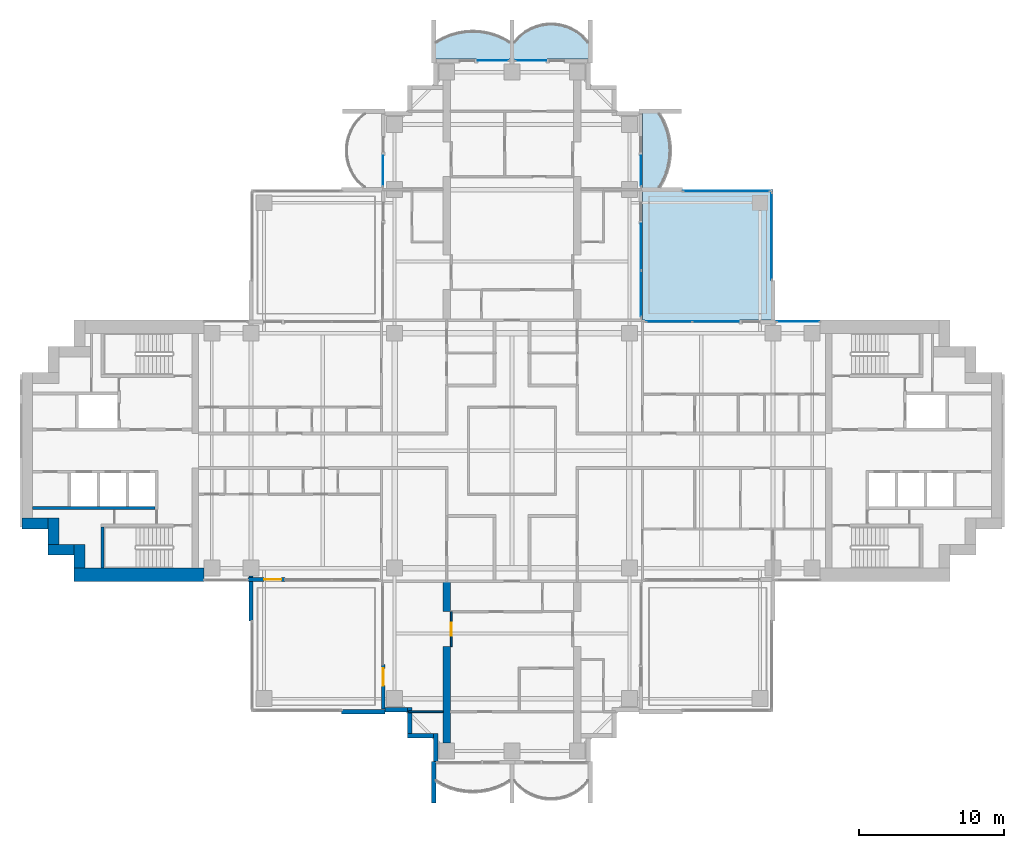
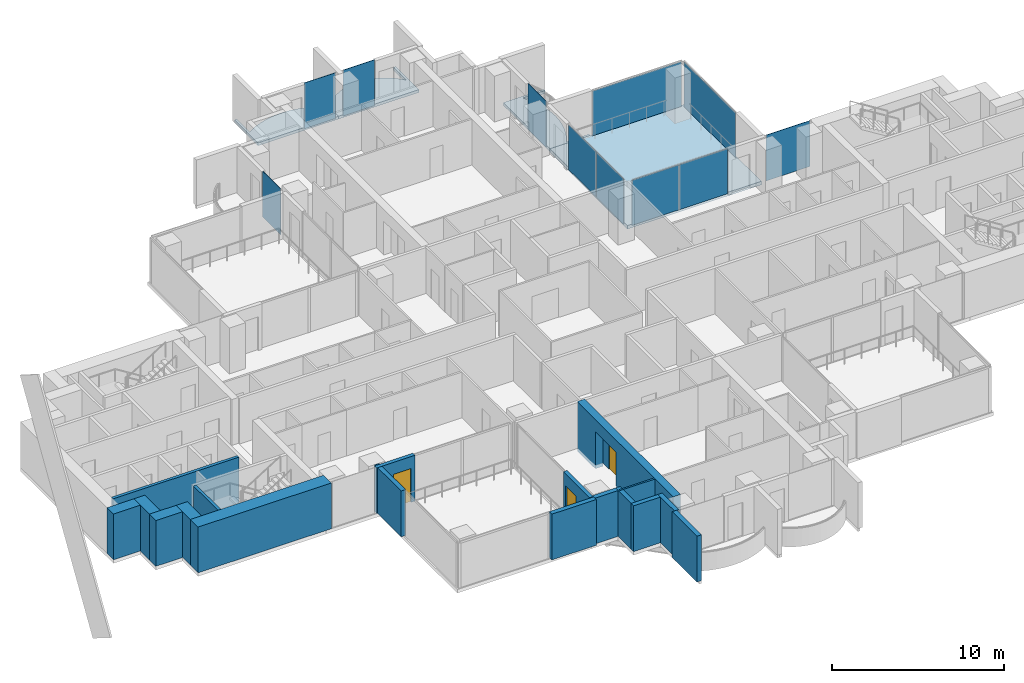
# One storey, part 8 of 19: 19 walls, 11 plates, 4 slabs, 3 doors, 3 openings, 9 elements without a shape of their own.
"""IFC4 building model written with IfcOpenShell, lengths in metres."""

import ifcopenshell
import ifcopenshell.guid

model = None  # the IFC model being written
_history = None  # IfcOwnerHistory: only IFC2X3 demands one
_inside = {}  # id of a spatial element -> (the spatial element, [elements in it])
_under = {}  # id of a project, library or spatial element -> (it, [spatial elements below it])
_declared = {}  # id of a project -> (the project, [libraries it declares])
_typed = {}  # id of a type object -> (the type object, [elements of that type])
_made_of = {}  # id of a material, layer set ... -> (it, [elements and type objects made of it])


def new_model(schema):
    """Start an empty IFC model of exactly this schema.

    Asked for "IFC4X3", IfcOpenShell would pick the latest addendum, in which some entities
    have other attributes; the version numbers below select the first issue.
    IFC2X3 requires an IfcOwnerHistory on every rooted entity: one is made here for all.
    """
    global model, _history
    if schema == "IFC4X3":
        model = ifcopenshell.file(schema_version=(4, 3, 0, 0))
    else:
        model = ifcopenshell.file(schema=schema)
    _inside.clear()
    _under.clear()
    _declared.clear()
    _typed.clear()
    _made_of.clear()
    _history = None
    if model.schema == "IFC2X3":
        org = make("IfcOrganization", Name="unknown")
        user = make(
            "IfcPersonAndOrganization",
            ThePerson=make("IfcPerson", FamilyName="unknown"),
            TheOrganization=org,
        )
        app = make(
            "IfcApplication",
            ApplicationDeveloper=org,
            Version="unknown",
            ApplicationFullName="unknown",
            ApplicationIdentifier="unknown",
        )
        _history = make(
            "IfcOwnerHistory",
            OwningUser=user,
            OwningApplication=app,
            ChangeAction="ADDED",
            CreationDate=0,
        )
    return model


def make(cls, **values):
    """One entity of the class cls with the attributes given. An attribute that is None is left unset."""
    return model.create_entity(
        cls, **{name: value for name, value in values.items() if value is not None}
    )


def rooted(cls, **values):
    """An entity with a GlobalId (a new one), such as an element, a storey or a relation."""
    return make(cls, GlobalId=ifcopenshell.guid.new(), OwnerHistory=_history, **values)


def si_unit(unit_type, name, prefix=None):
    """IfcSIUnit, for example si_unit("LENGTHUNIT", "METRE", prefix="MILLI")."""
    return make("IfcSIUnit", UnitType=unit_type, Prefix=prefix, Name=name)


def assignment(units):
    """IfcUnitAssignment: the units of a project."""
    return None if units is None else make("IfcUnitAssignment", Units=units)


def point(xyz):
    """IfcCartesianPoint."""
    return None if xyz is None else make("IfcCartesianPoint", Coordinates=xyz)


def direction(xyz):
    """IfcDirection."""
    return None if xyz is None else make("IfcDirection", DirectionRatios=xyz)


def frame(location, z_axis=None, x_axis=None):
    """IfcAxis2Placement3D, a coordinate frame: its origin and axes. An axis left out is left unset."""
    return make(
        "IfcAxis2Placement3D",
        Location=point(location),
        Axis=direction(z_axis),
        RefDirection=direction(x_axis),
    )


def frame_2d(location, x_axis=None):
    """IfcAxis2Placement2D, a coordinate frame in the plane: its origin and x axis."""
    return make(
        "IfcAxis2Placement2D", Location=point(location), RefDirection=direction(x_axis)
    )


def origin():
    """The frame at (0, 0, 0) with its axes left unset."""
    return frame((0.0, 0.0, 0.0))


def origin_2d():
    """The frame at (0, 0) in the plane with its x axis left unset."""
    return frame_2d((0.0, 0.0))


def place(relative_to, where):
    """IfcLocalPlacement: puts the frame where relative to a parent placement (None: the world)."""
    return make(
        "IfcLocalPlacement", PlacementRelTo=relative_to, RelativePlacement=where
    )


def context(
    kind, dimensions, precision=None, world=None, true_north=None, identifier=None
):
    """IfcGeometricRepresentationContext, for example the 3D "Model" context."""
    return make(
        "IfcGeometricRepresentationContext",
        ContextIdentifier=identifier,
        ContextType=kind,
        CoordinateSpaceDimension=dimensions,
        Precision=precision,
        WorldCoordinateSystem=world,
        TrueNorth=true_north,
    )


def subcontext(parent, identifier, kind, view, scale=None):
    """IfcGeometricRepresentationSubContext, for example "Body" below "Model"."""
    return make(
        "IfcGeometricRepresentationSubContext",
        ContextIdentifier=identifier,
        ContextType=kind,
        ParentContext=parent,
        TargetScale=scale,
        TargetView=view,
    )


def project(units=None, contexts=None):
    """IfcProject with its units and contexts."""
    return rooted(
        "IfcProject",
        Name="project",
        RepresentationContexts=contexts,
        UnitsInContext=assignment(units),
    )


def spatial(cls, under=None, at=None, **own):
    """A site, building, storey or space (cls), placed at a placement, below another one or the project."""
    s = rooted(cls, ObjectPlacement=at, **own)
    if under is not None:
        _under.setdefault(under.id(), (under, []))[1].append(s)
    return s


def polyline(points):
    """IfcPolyline through the points."""
    return make("IfcPolyline", Points=[point(p) for p in points])


def profile(cls, at=None, kind="AREA", **sizes):
    """A parametric profile (cls). Its sizes go by their IFC names, for example OverallWidth=200.0."""
    return make(cls, ProfileType=kind, Position=at, **sizes)


def rectangle(**sizes):
    """IfcRectangleProfileDef."""
    return profile("IfcRectangleProfileDef", **sizes)


def outline(outer, holes=None, kind="AREA"):
    """IfcArbitraryClosedProfileDef: a profile drawn as a closed curve; with holes, ...WithVoids."""
    if holes is None:
        return make("IfcArbitraryClosedProfileDef", ProfileType=kind, OuterCurve=outer)
    return make(
        "IfcArbitraryProfileDefWithVoids",
        ProfileType=kind,
        OuterCurve=outer,
        InnerCurves=holes,
    )


def extrude(swept, where, along, depth):
    """IfcExtrudedAreaSolid: the profile swept, set in the frame where, extruded along a direction by depth."""
    return make(
        "IfcExtrudedAreaSolid",
        SweptArea=swept,
        Position=where,
        ExtrudedDirection=direction(along),
        Depth=depth,
    )


def shape(context_of_items, identifier, shape_type, items):
    """IfcShapeRepresentation: the items that make up one representation, for example the "Body"."""
    return make(
        "IfcShapeRepresentation",
        ContextOfItems=context_of_items,
        RepresentationIdentifier=identifier,
        RepresentationType=shape_type,
        Items=items,
    )


def material(Name=None, Category=None):
    """IfcMaterial."""
    return make("IfcMaterial", Name=Name, Category=Category)


def layer(
    of_material, thickness, ventilated=None, Name=None, Category=None, Priority=None
):
    """IfcMaterialLayer: one layer of a wall or slab, of a material (None: an air gap)."""
    return make(
        "IfcMaterialLayer",
        Material=of_material,
        LayerThickness=thickness,
        IsVentilated=ventilated,
        Name=Name,
        Category=Category,
        Priority=Priority,
    )


def layer_set(layers, Name=None):
    """IfcMaterialLayerSet."""
    return make("IfcMaterialLayerSet", MaterialLayers=layers, LayerSetName=Name)


def material_profile(
    of_material, cross_section, Name=None, Category=None, Priority=None
):
    """IfcMaterialProfile: a cross section and its material."""
    return make(
        "IfcMaterialProfile",
        Name=Name,
        Material=of_material,
        Profile=cross_section,
        Priority=Priority,
        Category=Category,
    )


def profile_set(profiles, Name=None, composite=None):
    """IfcMaterialProfileSet."""
    return make(
        "IfcMaterialProfileSet",
        Name=Name,
        MaterialProfiles=profiles,
        CompositeProfile=composite,
    )


def made_of(thing, what):
    """Note that an element or type object is made of a material, layer set ...; save() writes the relation."""
    if what is not None:
        _made_of.setdefault(what.id(), (what, []))[1].append(thing)
    return thing


def type_object(cls, material=None, **own):
    """A type object (cls), such as IfcWallType, which elements share."""
    return made_of(rooted(cls, **own), material)


def element(
    cls,
    number,
    at=None,
    inside=None,
    cuts=None,
    type_object=None,
    material=None,
    context=None,
    identifier="Body",
    shape_type=None,
    held_by="IfcProductDefinitionShape",
    body=None,
    shapes=None,
    **own,
):
    """One element of the class cls, such as IfcWall. Its Tag is "e" and its number.

    at: its placement. inside: the storey or other place that contains it. cuts: it is an
    opening in that element (IfcRelVoidsElement). A single representation is given by context,
    identifier, shape_type and body (its items); several are given by shapes. held_by: the class
    of the entity that holds the representations. save() writes the other relations.
    """
    e = rooted(cls, Tag="e%d" % number, ObjectPlacement=at, **own)
    if body is not None:
        shapes = [shape(context, identifier, shape_type, body)]
    if shapes is not None:
        e.Representation = make(held_by, Representations=shapes)
    if inside is not None:
        _inside.setdefault(inside.id(), (inside, []))[1].append(e)
    if cuts is not None:
        rooted(
            "IfcRelVoidsElement", RelatingBuildingElement=cuts, RelatedOpeningElement=e
        )
    if type_object is not None:
        _typed.setdefault(type_object.id(), (type_object, []))[1].append(e)
    return made_of(e, material)


def fill(opening, filler):
    """IfcRelFillsElement: the door or window that sits in an opening."""
    return rooted(
        "IfcRelFillsElement",
        RelatingOpeningElement=opening,
        RelatedBuildingElement=filler,
    )


def aggregate(whole, parts):
    """IfcRelAggregates: a whole, such as a stair, and the parts it consists of."""
    return rooted("IfcRelAggregates", RelatingObject=whole, RelatedObjects=parts)


def save(model, path):
    """Write the relations noted so far, then the file.

    IfcRelAggregates (storeys below a building ...), IfcRelContainedInSpatialStructure (elements
    in a storey), IfcRelDefinesByType, IfcRelAssociatesMaterial and IfcRelDeclares: one each for
    every whole, place, type object, material and project.
    """
    for whole, parts in _under.values():
        aggregate(whole, parts)
    for where, things in _inside.values():
        rooted(
            "IfcRelContainedInSpatialStructure",
            RelatedElements=things,
            RelatingStructure=where,
        )
    for kind, things in _typed.values():
        rooted("IfcRelDefinesByType", RelatedObjects=things, RelatingType=kind)
    for what, things in _made_of.values():
        rooted("IfcRelAssociatesMaterial", RelatedObjects=things, RelatingMaterial=what)
    for by, libraries in _declared.values():
        rooted("IfcRelDeclares", RelatingContext=by, RelatedDefinitions=libraries)
    model.write(path)


model = new_model("IFC4")

# Units and contexts
model_context = context("Model", 3, precision=1e-05, world=origin(), true_north=direction((0.0, 1.0)))
body_context = subcontext(model_context, "Body", "Model", "MODEL_VIEW")
ifc_project = project(units=[si_unit("LENGTHUNIT", "METRE"), si_unit("AREAUNIT", "SQUARE_METRE"), si_unit("VOLUMEUNIT", "CUBIC_METRE"), si_unit("PLANEANGLEUNIT", "RADIAN"), si_unit("MASSUNIT", "GRAM", prefix="KILO")], contexts=[model_context])

# Site, building, storey
site_placement = place(None, origin())
site = spatial("IfcSite", under=ifc_project, at=site_placement, CompositionType="ELEMENT")
building_placement = place(site_placement, origin())
building = spatial("IfcBuilding", under=site, at=building_placement, Name="Perihelion Cross Residences", CompositionType="ELEMENT")
storey_placement = place(building_placement, frame((0.0, 0.0, 109.39990234375)))
storey = spatial("IfcBuildingStorey", under=building, at=storey_placement, Name="L25", CompositionType="ELEMENT", Elevation=109.39990234375)

# Slabs
ifc_material_1 = material(Name="Concrete C40/50", Category="concrete")
ifc_layer_1 = layer(ifc_material_1, 0.199951171875)
ifc_layer_set_1 = layer_set([ifc_layer_1], Name="Balcony slab 200")
slab_type_1 = type_object("IfcSlabType", Name="Balcony slab 200", PredefinedType="FLOOR", material=ifc_layer_set_1)
slab_1_placement = place(storey_placement, frame((0.0, 0.0, -0.199951171875)))
element("IfcSlab", 1, at=slab_1_placement, inside=storey, type_object=slab_type_1, Name="Slab BK1 L25 north side east bay 2 balcony", PredefinedType="FLOOR", context=body_context, shape_type="SweptSolid", body=[
    extrude(outline(polyline([(9.0, 18.0), (9.0, 23.39990234375), (11.699951171875, 23.39990234375), (11.699951171875, 23.25), (10.199951171875, 23.25), (10.4853515625, 22.739990234375), (10.694580078125, 22.22998046875), (10.838134765625, 21.719970703125), (10.92236328125, 21.2099609375), (10.949951171875, 20.699951171875), (10.92236328125, 20.18994140625), (10.838134765625, 19.679931640625), (10.694580078125, 19.169921875), (10.4853515625, 18.659912109375), (10.199951171875, 18.14990234375), (11.699951171875, 18.14990234375), (11.699951171875, 18.0), (9.0, 18.0)])), origin(), (0.0, 0.0, 1.0), 0.199951171875),
])
slab_2_placement = place(storey_placement, frame((0.0, 0.0, -0.199951171875)))
element("IfcSlab", 2, at=slab_2_placement, inside=storey, type_object=slab_type_1, Name="Slab BK1 L25 north tip north bay 1 balcony", PredefinedType="FLOOR", context=body_context, shape_type="SweptSolid", body=[
    extrude(outline(polyline([(5.39990234375, 27.0), (0.0, 27.0), (0.0, 29.699951171875), (0.14990234375, 29.699951171875), (0.14990234375, 28.199951171875), (0.542236328125, 28.622314453125), (0.9345703125, 28.924072265625), (1.326904296875, 29.143310546875), (1.71923828125, 29.29736328125), (2.111572265625, 29.39599609375), (2.50390625, 29.444091796875), (2.896240234375, 29.444091796875), (3.28857421875, 29.39599609375), (3.6806640625, 29.29736328125), (4.072998046875, 29.143310546875), (4.46533203125, 28.924072265625), (4.857666015625, 28.622314453125), (5.25, 28.199951171875), (5.25, 29.699951171875), (5.39990234375, 29.699951171875), (5.39990234375, 27.0)])), origin(), (0.0, 0.0, 1.0), 0.199951171875),
])
slab_3_placement = place(storey_placement, frame((0.0, 0.0, -0.199951171875)))
element("IfcSlab", 3, at=slab_3_placement, inside=storey, type_object=slab_type_1, Name="Slab BK1 L25 north tip north bay 2 balcony", PredefinedType="FLOOR", context=body_context, shape_type="SweptSolid", body=[
    extrude(outline(polyline([(0.0, 27.0), (-5.39990234375, 27.0), (-5.39990234375, 29.699951171875), (-5.25, 29.699951171875), (-5.25, 28.199951171875), (-4.739990234375, 28.4853515625), (-4.22998046875, 28.694580078125), (-3.719970703125, 28.838134765625), (-3.2099609375, 28.92236328125), (-2.699951171875, 28.949951171875), (-2.18994140625, 28.92236328125), (-1.679931640625, 28.838134765625), (-1.169921875, 28.694580078125), (-0.659912109375, 28.4853515625), (-0.14990234375, 28.199951171875), (-0.14990234375, 29.699951171875), (0.0, 29.699951171875), (0.0, 27.0)])), origin(), (0.0, 0.0, 1.0), 0.199951171875),
])

# Curtain wall, plate
ifc_material_2 = material(Name="Bronze anodised aluminium, tinted glazing", Category="aluminium")
curtain_wall_type_1 = type_object("IfcCurtainWallType", Name="CW1", PredefinedType="NOTDEFINED", material=ifc_material_2)
curtain_wall_1_placement = place(storey_placement, origin())
curtain_wall_1 = element("IfcCurtainWall", 4, at=curtain_wall_1_placement, inside=storey, type_object=curtain_wall_type_1, Name="Curtain wall CW1 L25 east side north bay 1", PredefinedType="NOTDEFINED")
ifc_material_3 = material(Name="Tinted laminated glass", Category="glass")
ifc_layer_2 = layer(ifc_material_3, 0.028076171875)
ifc_layer_set_2 = layer_set([ifc_layer_2], Name="CW1 panel")
plate_type_1 = type_object("IfcPlateType", Name="CW1 panel", PredefinedType="CURTAIN_PANEL", material=ifc_layer_set_2)
plate_1_placement = place(storey_placement, frame((19.72509765625, 8.89990234375, 0.0), z_axis=(0.0, 0.0, 1.0), x_axis=(-1.0, 0.0, 0.0)))
plate_1 = element("IfcPlate", 5, at=plate_1_placement, type_object=plate_type_1, Name="CW1 panel 1", PredefinedType="CURTAIN_PANEL", context=body_context, shape_type="SweptSolid", body=[
    extrude(rectangle(XDim=2.929931640625, YDim=0.028076171875, at=origin_2d()), origin(), (0.0, 0.0, 1.0), 3.25),
])
aggregate(curtain_wall_1, [plate_1])

# Curtain wall, plates
curtain_wall_2_placement = place(storey_placement, origin())
curtain_wall_2 = element("IfcCurtainWall", 6, at=curtain_wall_2_placement, inside=storey, type_object=curtain_wall_type_1, Name="Curtain wall CW1 L25 east side north bay 2", PredefinedType="NOTDEFINED")
plate_2_placement = place(storey_placement, frame((14.052490234375, 8.89990234375, 0.000244140625), z_axis=(0.0, 0.0, 1.0), x_axis=(-1.0, 0.0, 0.0)))
plate_2 = element("IfcPlate", 7, at=plate_2_placement, type_object=plate_type_1, Name="CW1 panel 1", PredefinedType="CURTAIN_PANEL", context=body_context, shape_type="SweptSolid", body=[
    extrude(rectangle(XDim=3.195068359375, YDim=0.028076171875, at=origin_2d()), origin(), (0.0, 0.0, 1.0), 3.18994140625),
])
plate_3_placement = place(storey_placement, frame((10.827392578125, 8.89990234375, 0.000244140625), z_axis=(0.0, 0.0, 1.0), x_axis=(-1.0, 0.0, 0.0)))
plate_3 = element("IfcPlate", 8, at=plate_3_placement, type_object=plate_type_1, Name="CW1 panel 2", PredefinedType="CURTAIN_PANEL", context=body_context, shape_type="SweptSolid", body=[
    extrude(rectangle(XDim=3.135009765625, YDim=0.028076171875, at=origin_2d()), origin(), (0.0, 0.0, 1.0), 3.18994140625),
])
aggregate(curtain_wall_2, [plate_2, plate_3])

curtain_wall_3_placement = place(storey_placement, origin())
curtain_wall_3 = element("IfcCurtainWall", 9, at=curtain_wall_3_placement, inside=storey, type_object=curtain_wall_type_1, Name="Curtain wall CW1 L25 north side east bay 1", PredefinedType="NOTDEFINED")
plate_4_placement = place(storey_placement, frame((8.89990234375, 10.827392578125, 0.000244140625), z_axis=(0.0, 0.0, 1.0), x_axis=(0.0, 1.0, 0.0)))
plate_4 = element("IfcPlate", 10, at=plate_4_placement, type_object=plate_type_1, Name="CW1 panel 1", PredefinedType="CURTAIN_PANEL", context=body_context, shape_type="SweptSolid", body=[
    extrude(rectangle(XDim=3.135009765625, YDim=0.028076171875, at=origin_2d()), origin(), (0.0, 0.0, 1.0), 3.18994140625),
])
plate_5_placement = place(storey_placement, frame((8.89990234375, 14.052490234375, 0.000244140625), z_axis=(0.0, 0.0, 1.0), x_axis=(0.0, 1.0, 0.0)))
plate_5 = element("IfcPlate", 11, at=plate_5_placement, type_object=plate_type_1, Name="CW1 panel 2", PredefinedType="CURTAIN_PANEL", context=body_context, shape_type="SweptSolid", body=[
    extrude(rectangle(XDim=3.195068359375, YDim=0.028076171875, at=origin_2d()), origin(), (0.0, 0.0, 1.0), 3.18994140625),
])
aggregate(curtain_wall_3, [plate_4, plate_5])

# Curtain wall, plate
curtain_wall_4_placement = place(storey_placement, origin())
curtain_wall_4 = element("IfcCurtainWall", 12, at=curtain_wall_4_placement, inside=storey, type_object=curtain_wall_type_1, Name="Curtain wall CW1 L25 north side east bay 2", PredefinedType="NOTDEFINED")
plate_6_placement = place(storey_placement, frame((8.89990234375, 19.304931640625, 0.0), z_axis=(0.0, 0.0, 1.0), x_axis=(0.0, 1.0, 0.0)))
plate_6 = element("IfcPlate", 13, at=plate_6_placement, type_object=plate_type_1, Name="CW1 panel 1", PredefinedType="CURTAIN_PANEL", context=body_context, shape_type="SweptSolid", body=[
    extrude(rectangle(XDim=2.090087890625, YDim=0.028076171875, at=origin_2d()), origin(), (0.0, 0.0, 1.0), 3.25),
])
aggregate(curtain_wall_4, [plate_6])

curtain_wall_5_placement = place(storey_placement, origin())
curtain_wall_5 = element("IfcCurtainWall", 14, at=curtain_wall_5_placement, inside=storey, type_object=curtain_wall_type_1, Name="Curtain wall CW1 L25 north tip north bay 1", PredefinedType="NOTDEFINED")
plate_7_placement = place(storey_placement, frame((1.304931640625, 26.89990234375, 0.0), z_axis=(0.0, 0.0, 1.0), x_axis=(-1.0, 0.0, 0.0)))
plate_7 = element("IfcPlate", 15, at=plate_7_placement, type_object=plate_type_1, Name="CW1 panel 1", PredefinedType="CURTAIN_PANEL", context=body_context, shape_type="SweptSolid", body=[
    extrude(rectangle(XDim=2.090087890625, YDim=0.028076171875, at=origin_2d()), origin(), (0.0, 0.0, 1.0), 3.25),
])
aggregate(curtain_wall_5, [plate_7])

curtain_wall_6_placement = place(storey_placement, origin())
curtain_wall_6 = element("IfcCurtainWall", 16, at=curtain_wall_6_placement, inside=storey, type_object=curtain_wall_type_1, Name="Curtain wall CW1 L25 north tip north bay 2", PredefinedType="NOTDEFINED")
plate_8_placement = place(storey_placement, frame((-1.304931640625, 26.89990234375, 0.0), z_axis=(0.0, 0.0, 1.0), x_axis=(-1.0, 0.0, 0.0)))
plate_8 = element("IfcPlate", 17, at=plate_8_placement, type_object=plate_type_1, Name="CW1 panel 1", PredefinedType="CURTAIN_PANEL", context=body_context, shape_type="SweptSolid", body=[
    extrude(rectangle(XDim=2.090087890625, YDim=0.028076171875, at=origin_2d()), origin(), (0.0, 0.0, 1.0), 3.25),
])
aggregate(curtain_wall_6, [plate_8])

curtain_wall_7_placement = place(storey_placement, origin())
curtain_wall_7 = element("IfcCurtainWall", 18, at=curtain_wall_7_placement, inside=storey, type_object=curtain_wall_type_1, Name="Curtain wall CW1 L25 north side west bay 1", PredefinedType="NOTDEFINED")
plate_9_placement = place(storey_placement, frame((-8.89990234375, 19.304931640625, 0.0), z_axis=(0.0, 0.0, 1.0), x_axis=(0.0, -1.0, 0.0)))
plate_9 = element("IfcPlate", 19, at=plate_9_placement, type_object=plate_type_1, Name="CW1 panel 1", PredefinedType="CURTAIN_PANEL", context=body_context, shape_type="SweptSolid", body=[
    extrude(rectangle(XDim=2.090087890625, YDim=0.028076171875, at=origin_2d()), origin(), (0.0, 0.0, 1.0), 3.25),
])
aggregate(curtain_wall_7, [plate_9])

ifc_material_4 = material(Name="Bronze anodised aluminium, tinted glazing", Category="aluminium")
curtain_wall_type_2 = type_object("IfcCurtainWallType", Name="CW4", PredefinedType="NOTDEFINED", material=ifc_material_4)
curtain_wall_8_placement = place(storey_placement, origin())
curtain_wall_8 = element("IfcCurtainWall", 20, at=curtain_wall_8_placement, inside=storey, type_object=curtain_wall_type_2, Name="Curtain wall CW4 L25 pocket north-east 1 1", PredefinedType="NOTDEFINED")
ifc_material_5 = material(Name="Tinted laminated glass", Category="glass")
ifc_layer_3 = layer(ifc_material_5, 0.030029296875)
ifc_layer_set_3 = layer_set([ifc_layer_3], Name="CW4 panel")
plate_type_2 = type_object("IfcPlateType", Name="CW4 panel", PredefinedType="CURTAIN_PANEL", material=ifc_layer_set_3)
plate_10_placement = place(storey_placement, frame((14.784912109375, 17.89990234375, 0.000244140625), z_axis=(0.0, 0.0, 1.0), x_axis=(1.0, 0.0, 0.0)))
plate_10 = element("IfcPlate", 21, at=plate_10_placement, type_object=plate_type_2, Name="CW4 panel 1", PredefinedType="CURTAIN_PANEL", context=body_context, shape_type="SweptSolid", body=[
    extrude(rectangle(XDim=5.969970703125, YDim=0.030029296875, at=origin_2d()), origin(), (0.0, 0.0, 1.0), 3.18994140625),
])
aggregate(curtain_wall_8, [plate_10])

curtain_wall_9_placement = place(storey_placement, origin())
curtain_wall_9 = element("IfcCurtainWall", 22, at=curtain_wall_9_placement, inside=storey, type_object=curtain_wall_type_2, Name="Curtain wall CW4 L25 pocket north-east 1 2", PredefinedType="NOTDEFINED")
plate_11_placement = place(storey_placement, frame((17.89990234375, 14.784912109375, 0.000244140625), z_axis=(0.0, 0.0, 1.0), x_axis=(0.0, -1.0, 0.0)))
plate_11 = element("IfcPlate", 23, at=plate_11_placement, type_object=plate_type_2, Name="CW4 panel 1", PredefinedType="CURTAIN_PANEL", context=body_context, shape_type="SweptSolid", body=[
    extrude(rectangle(XDim=5.969970703125, YDim=0.030029296875, at=origin_2d()), origin(), (0.0, 0.0, 1.0), 3.18994140625),
])
aggregate(curtain_wall_9, [plate_11])

# Slab
ifc_material_6 = material(Name="Concrete C40/50", Category="concrete")
ifc_layer_4 = layer(ifc_material_6, 0.25)
ifc_layer_set_4 = layer_set([ifc_layer_4], Name="Winter garden slab")
slab_type_2 = type_object("IfcSlabType", Name="Winter garden slab", PredefinedType="FLOOR", material=ifc_layer_set_4)
slab_4_placement = place(storey_placement, frame((0.0, 0.0, -0.25)))
element("IfcSlab", 24, at=slab_4_placement, inside=storey, type_object=slab_type_2, Name="Slab BK3 L25 pocket north-east", PredefinedType="FLOOR", context=body_context, shape_type="SweptSolid", body=[
    extrude(outline(polyline([(18.0, 9.0), (18.0, 18.0), (9.0, 18.0), (9.0, 9.0), (18.0, 9.0)])), origin(), (0.0, 0.0, 1.0), 0.25),
])

# Wall, opening, door
ifc_material_7 = material(Name="Concrete C30/37, bronze-clad", Category="concrete")
ifc_layer_5 = layer(ifc_material_7, 0.25)
ifc_layer_set_5 = layer_set([ifc_layer_5], Name="Bronze-clad pier wall 250")
wall_type_1 = type_object("IfcWallType", Name="Bronze-clad pier wall 250", PredefinedType="SOLIDWALL", material=ifc_layer_set_5)
wall_1_placement = place(storey_placement, frame((-18.199951171875, -8.875, 0.0), z_axis=(0.0, 0.0, 1.0), x_axis=(1.0, 0.0, 0.0)))
wall_1 = element("IfcWall", 25, at=wall_1_placement, inside=storey, type_object=wall_type_1, Name="Wall FW1 L25 west side south bay 2 pier", PredefinedType="SOLIDWALL", context=body_context, shape_type="SweptSolid", body=[
    extrude(rectangle(XDim=2.550048828125, YDim=0.25, at=frame_2d((1.27490234375, 0.0))), origin(), (0.0, 0.0, 1.0), 3.25),
])
opening_1_placement = place(wall_1_placement, frame((1.10009765625, 0.0, 0.0)))
opening_1 = element("IfcOpeningElement", 26, at=opening_1_placement, cuts=wall_1, Name="Opening L25.E09", PredefinedType="OPENING", context=body_context, shape_type="SweptSolid", body=[
    extrude(rectangle(XDim=1.199951171875, YDim=2.39990234375, at=frame_2d((0.60009765625, 1.199951171875))), frame((0.0, 0.135009765625, 0.0), z_axis=(0.0, -1.0, 0.0), x_axis=(1.0, 0.0, 0.0)), (0.0, 0.0, 1.0), 0.27001953125),
])
ifc_material_8 = material(Name="Bronze anodised aluminium, glazed", Category="aluminium")
door_type_1 = type_object("IfcDoorType", Name="Balcony door 1200 x 2400", OperationType="NOTDEFINED", PredefinedType="DOOR", material=ifc_material_8)
door_1_placement = place(opening_1_placement, origin())
door_1 = element("IfcDoor", 27, at=door_1_placement, inside=storey, type_object=door_type_1, Name="Door L25.E09 west side south bay 2", OperationType="SINGLE_SWING_RIGHT", OverallHeight=2.39990234375, OverallWidth=1.199951171875, PredefinedType="DOOR", context=body_context, shape_type="SweptSolid", body=[
    extrude(rectangle(XDim=1.199951171875, YDim=2.39990234375, at=frame_2d((0.60009765625, 1.199951171875))), frame((0.0, 0.02490234375, 0.0), z_axis=(0.0, -1.0, 0.0), x_axis=(1.0, 0.0, 0.0)), (0.0, 0.0, 1.0), 0.050048828125),
])
fill(opening_1, door_1)

wall_2_placement = place(storey_placement, frame((-8.875, -14.75, 0.0), z_axis=(0.0, 0.0, 1.0), x_axis=(0.0, -1.0, 0.0)))
wall_2 = element("IfcWall", 28, at=wall_2_placement, inside=storey, type_object=wall_type_1, Name="Wall FW1 L25 south side west bay 1 pier", PredefinedType="SOLIDWALL", context=body_context, shape_type="SweptSolid", body=[
    extrude(rectangle(XDim=3.050048828125, YDim=0.25, at=frame_2d((1.52490234375, 0.0))), origin(), (0.0, 0.0, 1.0), 3.25),
])
opening_2_placement = place(wall_2_placement, frame((0.25, 0.0, 0.0)))
opening_2 = element("IfcOpeningElement", 29, at=opening_2_placement, cuts=wall_2, Name="Opening L25.E10", PredefinedType="OPENING", context=body_context, shape_type="SweptSolid", body=[
    extrude(rectangle(XDim=1.199951171875, YDim=2.39990234375, at=frame_2d((0.60009765625, 1.199951171875))), frame((0.0, 0.135009765625, 0.0), z_axis=(0.0, -1.0, 0.0), x_axis=(1.0, 0.0, 0.0)), (0.0, 0.0, 1.0), 0.27001953125),
])
door_2_placement = place(opening_2_placement, origin())
door_2 = element("IfcDoor", 30, at=door_2_placement, inside=storey, type_object=door_type_1, Name="Door L25.E10 south side west bay 1", OperationType="SINGLE_SWING_LEFT", OverallHeight=2.39990234375, OverallWidth=1.199951171875, PredefinedType="DOOR", context=body_context, shape_type="SweptSolid", body=[
    extrude(rectangle(XDim=1.199951171875, YDim=2.39990234375, at=frame_2d((0.60009765625, 1.199951171875))), frame((0.0, 0.02490234375, 0.0), z_axis=(0.0, -1.0, 0.0), x_axis=(1.0, 0.0, 0.0)), (0.0, 0.0, 1.0), 0.050048828125),
])
fill(opening_2, door_2)

# Walls
ifc_material_9 = material(Name="Concrete C30/37, bronze-clad", Category="concrete")
ifc_layer_6 = layer(ifc_material_9, 0.300048828125)
ifc_layer_set_6 = layer_set([ifc_layer_6], Name="Bronze-clad serration wall 300")
wall_type_2 = type_object("IfcWallType", Name="Bronze-clad serration wall 300", PredefinedType="SOLIDWALL", material=ifc_layer_set_6)
wall_3_placement = place(storey_placement, frame((-8.75, -17.85009765625, 0.0), z_axis=(0.0, 0.0, 1.0), x_axis=(1.0, 0.0, 0.0)))
element("IfcWall", 31, at=wall_3_placement, inside=storey, type_object=wall_type_2, Name="Wall SR1 L25 south corner south-west 1", PredefinedType="SOLIDWALL", context=body_context, shape_type="SweptSolid", body=[
    extrude(rectangle(XDim=1.550048828125, YDim=0.300048828125, at=frame_2d((0.77490234375, 0.0))), origin(), (0.0, 0.0, 1.0), 3.25),
])
for number, where, z_axis, x_axis, name in (
    (32, (-7.050048828125, -17.699951171875, 0.0), (0.0, 0.0, 1.0), (0.0, -1.0, 0.0), "Wall SR1 L25 south corner south-west 2"),
    (33, (-7.199951171875, -19.64990234375, 0.0), (0.0, 0.0, 1.0), (1.0, 0.0, 0.0), "Wall SR1 L25 south corner south-west 3"),
):
    element("IfcWall", number, at=place(storey_placement, frame(where, z_axis=z_axis, x_axis=x_axis)), inside=storey, type_object=wall_type_2, Name=name, PredefinedType="SOLIDWALL", context=body_context, shape_type="SweptSolid", body=[
        extrude(rectangle(XDim=1.800048828125, YDim=0.300048828125, at=frame_2d((0.89990234375, 0.0))), origin(), (0.0, 0.0, 1.0), 3.25),
    ])
wall_4_placement = place(storey_placement, frame((-5.25, -19.5, 0.0), z_axis=(0.0, 0.0, 1.0), x_axis=(0.0, -1.0, 0.0)))
element("IfcWall", 34, at=wall_4_placement, inside=storey, type_object=wall_type_2, Name="Wall SR1 L25 south corner south-west 4", PredefinedType="SOLIDWALL", context=body_context, shape_type="SweptSolid", body=[
    extrude(rectangle(XDim=1.919921875, YDim=0.300048828125, at=frame_2d((0.9599609375, 0.0))), origin(), (0.0, 0.0, 1.0), 3.25),
])
ifc_material_10 = material(Name="Concrete C60/75", Category="concrete")
ifc_layer_7 = layer(ifc_material_10, 0.75)
ifc_layer_set_7 = layer_set([ifc_layer_7], Name="Core wall, outer 750")
wall_type_3 = type_object("IfcWallType", Name="Core wall, outer 750", PredefinedType="SHEAR", material=ifc_layer_set_7)
wall_5_placement = place(storey_placement, frame((-29.824951171875, -8.10009765625, 0.0), z_axis=(0.0, 0.0, 1.0), x_axis=(0.0, 1.0, 0.0)))
element("IfcWall", 35, at=wall_5_placement, inside=storey, type_object=wall_type_3, Name="West core core wall, outer", PredefinedType="SHEAR", context=body_context, shape_type="SweptSolid", body=[
    extrude(rectangle(XDim=1.650146484375, YDim=0.75, at=frame_2d((0.8251953125, 0.0))), origin(), (0.0, 0.0, 1.0), 3.25),
])
for number, where, z_axis, x_axis, name in (
    (36, (-32.0, -6.824951171875, 0.0), (0.0, 0.0, 1.0), (1.0, 0.0, 0.0), "West core core wall, outer"),
    (37, (-31.625, -6.449951171875, 0.0), (0.0, 0.0, 1.0), (0.0, 1.0, 0.0), "West core core wall, outer"),
    (38, (-33.800048828125, -5.02490234375, 0.0), (0.0, 0.0, 1.0), (1.0, 0.0, 0.0), "West core core wall, outer"),
):
    element("IfcWall", number, at=place(storey_placement, frame(where, z_axis=z_axis, x_axis=x_axis)), inside=storey, type_object=wall_type_3, Name=name, PredefinedType="SHEAR", context=body_context, shape_type="SweptSolid", body=[
        extrude(rectangle(XDim=1.800048828125, YDim=0.75, at=frame_2d((0.89990234375, 0.0))), origin(), (0.0, 0.0, 1.0), 3.25),
    ])
ifc_material_11 = material(Name="Concrete C60/75", Category="concrete")
ifc_layer_8 = layer(ifc_material_11, 0.89990234375)
ifc_layer_set_8 = layer_set([ifc_layer_8], Name="Core wall, outer 900")
wall_type_4 = type_object("IfcWallType", Name="Core wall, outer 900", PredefinedType="SHEAR", material=ifc_layer_set_8)
wall_6_placement = place(storey_placement, frame((-30.199951171875, -8.550048828125, 0.0), z_axis=(0.0, 0.0, 1.0), x_axis=(1.0, 0.0, 0.0)))
element("IfcWall", 39, at=wall_6_placement, inside=storey, type_object=wall_type_4, Name="West core core wall, outer", PredefinedType="SHEAR", context=body_context, shape_type="SweptSolid", body=[
    extrude(rectangle(XDim=8.949951171875, YDim=0.89990234375, at=frame_2d((4.47509765625, 0.0))), origin(), (0.0, 0.0, 1.0), 3.25),
])

# Wall, opening, door
ifc_material_12 = material(Name="Plasterboard partition")
ifc_layer_9 = layer(ifc_material_12, 0.1201171875)
ifc_layer_set_9 = layer_set([ifc_layer_9], Name="Infill panel 120")
wall_type_5 = type_object("IfcWallType", Name="Infill panel 120", PredefinedType="PARTITIONING", material=ifc_layer_set_9)
wall_7_placement = place(storey_placement, frame((-4.18994140625, -11.10009765625, 0.0), z_axis=(0.0, 0.0, 1.0), x_axis=(0.0, -1.0, 0.0)))
wall_7 = element("IfcWall", 40, at=wall_7_placement, inside=storey, type_object=wall_type_5, Name="Partition L25 WI06", PredefinedType="PARTITIONING", context=body_context, shape_type="SweptSolid", body=[
    extrude(rectangle(XDim=2.39990234375, YDim=0.1201171875, at=frame_2d((1.199951171875, 0.0))), origin(), (0.0, 0.0, 1.0), 2.400146484375),
])
opening_3_placement = place(wall_7_placement, frame((0.75, 0.0, 0.0)))
opening_3 = element("IfcOpeningElement", 41, at=opening_3_placement, cuts=wall_7, Name="Opening L25.A55", PredefinedType="OPENING", context=body_context, shape_type="SweptSolid", body=[
    extrude(rectangle(XDim=0.89990234375, YDim=2.10009765625, at=frame_2d((0.449951171875, 1.050048828125))), frame((0.0, 0.070068359375, 0.0), z_axis=(0.0, -1.0, 0.0), x_axis=(1.0, 0.0, 0.0)), (0.0, 0.0, 1.0), 0.14013671875),
])
ifc_material_13 = material(Name="Timber door leaf", Category="wood")
door_type_2 = type_object("IfcDoorType", Name="Interior room door 900 x 2100", OperationType="SINGLE_SWING_LEFT", PredefinedType="DOOR", material=ifc_material_13)
door_3_placement = place(opening_3_placement, origin())
door_3 = element("IfcDoor", 42, at=door_3_placement, inside=storey, type_object=door_type_2, Name="Door L25.A55", OperationType="SINGLE_SWING_LEFT", OverallHeight=2.10009765625, OverallWidth=0.89990234375, PredefinedType="DOOR", context=body_context, shape_type="SweptSolid", body=[
    extrude(rectangle(XDim=0.89990234375, YDim=2.10009765625, at=frame_2d((0.449951171875, 1.050048828125))), frame((0.0, 0.02490234375, 0.0), z_axis=(0.0, -1.0, 0.0), x_axis=(1.0, 0.0, 0.0)), (0.0, 0.0, 1.0), 0.050048828125),
])
fill(opening_3, door_3)

# Walls
ifc_material_14 = material(Name="Plasterboard partition")
ifc_layer_10 = layer(ifc_material_14, 0.1201171875)
ifc_layer_set_10 = layer_set([ifc_layer_10], Name="Partition wall 120")
wall_type_6 = type_object("IfcWallType", Name="Partition wall 120", PredefinedType="PARTITIONING", material=ifc_layer_set_10)
wall_8_placement = place(storey_placement, frame((-4.75, -18.0, 0.0), z_axis=(0.0, 0.0, 1.0), x_axis=(-1.0, 0.0, 0.0)))
element("IfcWall", 43, at=wall_8_placement, inside=storey, type_object=wall_type_6, Name="Partition L25 W088", PredefinedType="PARTITIONING", context=body_context, shape_type="SweptSolid", body=[
    extrude(rectangle(XDim=2.3701171875, YDim=0.1201171875, at=frame_2d((1.18505859375, 0.0))), origin(), (0.0, 0.0, 1.0), 3.25),
])
ifc_material_15 = material(Name="Precast concrete C50/60", Category="concrete")
ifc_layer_11 = layer(ifc_material_15, 0.300048828125)
ifc_layer_set_11 = layer_set([ifc_layer_11], Name="Precast concrete C50/60 blade wall 300")
wall_type_7 = type_object("IfcWallType", Name="Precast concrete C50/60 blade wall 300", PredefinedType="SOLIDWALL", material=ifc_layer_set_11)
wall_9_placement = place(storey_placement, frame((-18.0, -8.64990234375, 0.0), z_axis=(0.0, 0.0, 1.0), x_axis=(0.0, -1.0, 0.0)))
element("IfcWall", 44, at=wall_9_placement, inside=storey, type_object=wall_type_7, Name="Wall BL1 L25 no. 1", PredefinedType="SOLIDWALL", context=body_context, shape_type="SweptSolid", body=[
    extrude(rectangle(XDim=3.090087890625, YDim=0.300048828125, at=frame_2d((1.544921875, 0.0))), origin(), (0.0, 0.0, 1.0), 3.25),
])
wall_10_placement = place(storey_placement, frame((-8.75, -18.0, 0.0), z_axis=(0.0, 0.0, 1.0), x_axis=(-1.0, 0.0, 0.0)))
element("IfcWall", 45, at=wall_10_placement, inside=storey, type_object=wall_type_7, Name="Wall BL1 L25 no. 5", PredefinedType="SOLIDWALL", context=body_context, shape_type="SweptSolid", body=[
    extrude(rectangle(XDim=2.989990234375, YDim=0.300048828125, at=frame_2d((1.4951171875, 0.0))), origin(), (0.0, 0.0, 1.0), 3.25),
])
wall_11_placement = place(storey_placement, frame((-5.39990234375, -21.419921875, 0.0), z_axis=(0.0, 0.0, 1.0), x_axis=(0.0, -1.0, 0.0)))
element("IfcWall", 46, at=wall_11_placement, inside=storey, type_object=wall_type_7, Name="Wall BL1 L25 no. 3", PredefinedType="SOLIDWALL", context=body_context, shape_type="SweptSolid", body=[
    extrude(rectangle(XDim=2.880126953125, YDim=0.300048828125, at=frame_2d((1.43994140625, 0.0))), origin(), (0.0, 0.0, 1.0), 3.25),
])
ifc_material_16 = material(Name="Concrete C50/60", Category="concrete")
ifc_layer_12 = layer(ifc_material_16, 0.199951171875)
ifc_layer_set_12 = layer_set([ifc_layer_12], Name="Shaft wall 200")
wall_type_8 = type_object("IfcWallType", Name="Shaft wall 200", PredefinedType="SOLIDWALL", material=ifc_layer_set_12)
wall_12_placement = place(storey_placement, frame((-33.050048828125, -3.949951171875, 0.0), z_axis=(0.0, 0.0, 1.0), x_axis=(1.0, 0.0, 0.0)))
element("IfcWall", 47, at=wall_12_placement, inside=storey, type_object=wall_type_8, Name="West core shaft wall", PredefinedType="SOLIDWALL", context=body_context, shape_type="SweptSolid", body=[
    extrude(rectangle(XDim=8.449951171875, YDim=0.199951171875, at=frame_2d((4.22509765625, 0.0))), origin(), (0.0, 0.0, 1.0), 3.25),
])
ifc_material_17 = material(Name="Concrete C50/60", Category="concrete")
ifc_layer_13 = layer(ifc_material_17, 0.199951171875)
ifc_layer_set_13 = layer_set([ifc_layer_13], Name="Stair wall 200")
wall_type_9 = type_object("IfcWallType", Name="Stair wall 200", PredefinedType="SOLIDWALL", material=ifc_layer_set_13)
wall_13_placement = place(storey_placement, frame((-28.25, -8.10009765625, 0.0), z_axis=(0.0, 0.0, 1.0), x_axis=(0.0, 1.0, 0.0)))
element("IfcWall", 48, at=wall_13_placement, inside=storey, type_object=wall_type_9, Name="West core stair wall", PredefinedType="SOLIDWALL", context=body_context, shape_type="SweptSolid", body=[
    extrude(rectangle(XDim=2.85009765625, YDim=0.199951171875, at=frame_2d((1.425048828125, 0.0))), origin(), (0.0, 0.0, 1.0), 3.25),
])
ifc_material_18 = material(Name="Concrete C60/75", Category="concrete")
ifc_material_profile = material_profile(ifc_material_18, outline(polyline([(0.0, 0.0), (6.64990234375, 0.0), (6.64990234375, 2.64990234375), (9.050048828125, 2.64990234375), (9.050048828125, 0.0), (11.14990234375, 0.0), (11.14990234375, 3.5), (0.0, 3.5), (0.0, 0.0)])), Name="Tip spine wall")
ifc_profile_set = profile_set([ifc_material_profile], Name="Concrete C60/75")
wall_type_10 = type_object("IfcWallType", Name="Tip spine wall 500 with 1 door openings 11150 long 3500 high concrete C60/75", PredefinedType="SHEAR", material=ifc_profile_set)
wall_14_placement = place(storey_placement, frame((-4.75, -20.14990234375, -0.25), z_axis=(1.0, 0.0, 0.0), x_axis=(0.0, 1.0, 0.0)))
element("IfcWall", 49, at=wall_14_placement, inside=storey, type_object=wall_type_10, Name="Shear wall SW33 L25 south west", PredefinedType="SHEAR", context=body_context, shape_type="SweptSolid", body=[
    extrude(outline(polyline([(0.0, 0.0), (6.64990234375, 0.0), (6.64990234375, 2.64990234375), (9.050048828125, 2.64990234375), (9.050048828125, 0.0), (11.14990234375, 0.0), (11.14990234375, 3.5), (0.0, 3.5), (0.0, 0.0)])), origin(), (0.0, 0.0, 1.0), 0.5),
])

save(model, "model.ifc")
